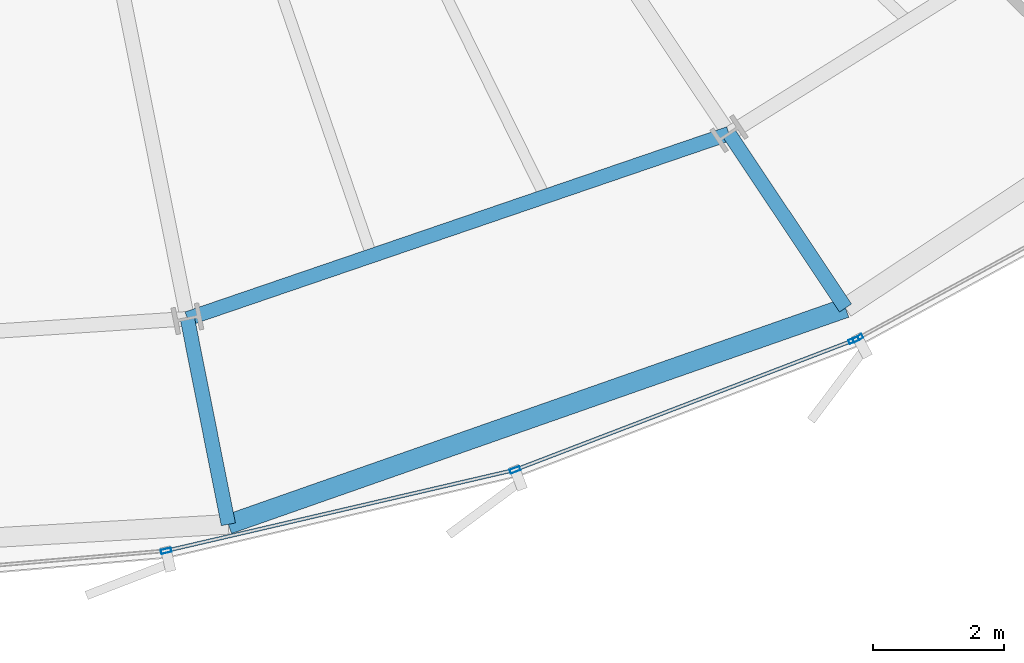
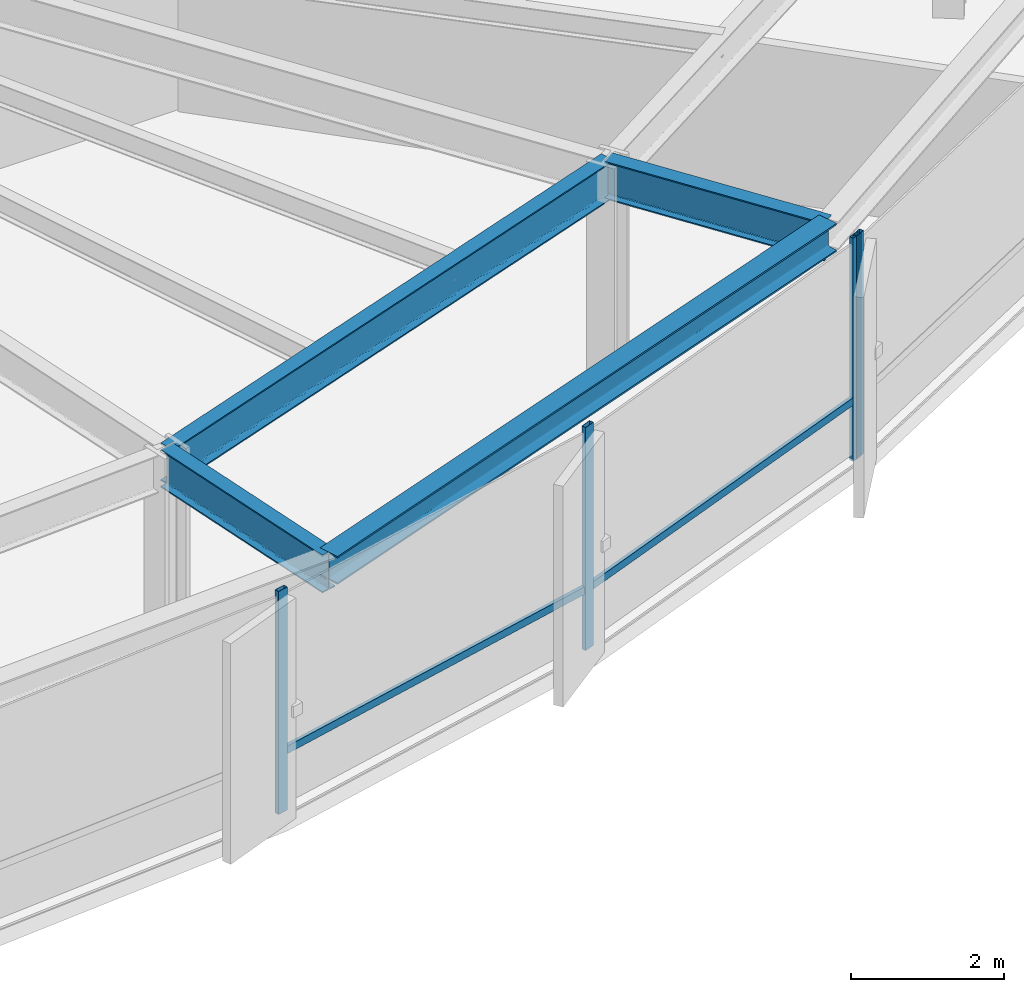
# One storey, part 10 of 38: 6 members, 4 beams, 2 elements without a shape of their own.
"""IFC4 building model written with IfcOpenShell, lengths in metres."""

from ifc_helpers import new_model, si_unit, direction, frame, origin, origin_2d, place, context, subcontext, project, spatial, hollow_rectangle, i_section, extrude, source, transform, mapped, material, layer, layer_set, material_profile, profile_set, type_object, element, aggregate, save


model = new_model("IFC4")

# Units and contexts
model_context = context("Model", 3, precision=1e-05, world=origin(), true_north=direction((0.0, 1.0)))
body_context = subcontext(model_context, "Body", "Model", "MODEL_VIEW")
ifc_project = project(units=[si_unit("LENGTHUNIT", "METRE"), si_unit("AREAUNIT", "SQUARE_METRE"), si_unit("VOLUMEUNIT", "CUBIC_METRE"), si_unit("PLANEANGLEUNIT", "RADIAN"), si_unit("MASSUNIT", "GRAM", prefix="KILO"), si_unit("THERMODYNAMICTEMPERATUREUNIT", "KELVIN")], contexts=[model_context])

# Site, building, storey
site_placement = place(None, origin())
site = spatial("IfcSite", under=ifc_project, at=site_placement, CompositionType="ELEMENT")
building_placement = place(site_placement, origin())
building = spatial("IfcBuilding", under=site, at=building_placement, Name="Kethvar Cultural Tower", CompositionType="ELEMENT")
storey_placement = place(building_placement, frame((0.0, 0.0, 67.60009765625)))
storey = spatial("IfcBuildingStorey", under=building, at=storey_placement, Name="L16", CompositionType="ELEMENT", Elevation=67.60009765625)

# Beams
ifc_material_1 = material(Name="Steel S355J2", Category="steel")
ifc_material_profile_1 = material_profile(ifc_material_1, i_section(OverallWidth=0.219970703125, OverallDepth=0.60009765625, WebThickness=0.011962890625, FlangeThickness=0.01904296875, FilletRadius=0.02392578125, at=origin_2d()), Name="Steel S355J2 — IPE600")
ifc_profile_set_1 = profile_set([ifc_material_profile_1], Name="Steel S355J2 — IPE600")
beam_type_1 = type_object("IfcBeamType", Name="BM-IPE600", PredefinedType="BEAM", material=ifc_profile_set_1)
shared_shape_1 = source(origin(), body_context, "Body", "SweptSolid", [
    extrude(i_section(OverallWidth=0.219970703125, OverallDepth=0.60009765625, WebThickness=0.011962890625, FlangeThickness=0.01904296875, FilletRadius=0.02392578125, at=origin_2d()), origin(), (0.0, 0.0, 1.0), 3.199951171875),
])
for number, where, z_axis, x_axis, name in (
    (1, (51.10400390625, 6.16259765625, 3.247802734375), (0.195088965533, -0.980785550224, 0.0), (0.980785550224, 0.195088965533, 0.0), "L16 Perimeter Cantilever Beam RC-13"),
    (2, (59.370361328125, 8.987060546875, 3.247802734375), (0.555580212716, -0.831462943996, 0.0), (0.831462943996, 0.555580212716, 0.0), "L16 Perimeter Cantilever Beam RC-14"),
):
    element("IfcBeam", number, at=place(storey_placement, frame(where, z_axis=z_axis, x_axis=x_axis)), inside=storey, type_object=beam_type_1, Name=name, PredefinedType="BEAM", context=body_context, shape_type="MappedRepresentation", body=[
        mapped(shared_shape_1, transform((0.0, 0.0, 0.0), scale=1.0)),
    ])
shared_shape_2 = source(origin(), body_context, "Body", "SweptSolid", [
    extrude(i_section(OverallWidth=0.219970703125, OverallDepth=0.60009765625, WebThickness=0.011962890625, FlangeThickness=0.01904296875, FilletRadius=0.02392578125, at=origin_2d()), origin(), (0.0, 0.0, 1.0), 8.735595703125),
])
beam_1_placement = place(storey_placement, frame((51.10400390625, 6.16259765625, 3.247802734375), z_axis=(0.946286676119, 0.323328821171, 0.0), x_axis=(-0.323328821171, 0.946286676119, 0.0)))
element("IfcBeam", 3, at=beam_1_placement, inside=storey, type_object=beam_type_1, Name="L16 Column Ring Tie Beam CR-13", PredefinedType="BEAM", context=body_context, shape_type="MappedRepresentation", body=[
    mapped(shared_shape_2, transform((0.0, 0.0, 0.0), scale=1.0)),
])
ifc_material_profile_2 = material_profile(ifc_material_1, i_section(OverallWidth=0.300048828125, OverallDepth=0.449951171875, WebThickness=0.013916015625, FlangeThickness=0.02587890625, FilletRadius=0.027099609375, at=origin_2d()), Name="Steel S355J2 — HEB450")
ifc_profile_set_2 = profile_set([ifc_material_profile_2], Name="Steel S355J2 — HEB450")
beam_type_2 = type_object("IfcBeamType", Name="BM-SP450", PredefinedType="SPANDREL", material=ifc_profile_set_2)
shared_shape_3 = source(origin(), body_context, "Body", "SweptSolid", [
    extrude(i_section(OverallWidth=0.300048828125, OverallDepth=0.449951171875, WebThickness=0.013916015625, FlangeThickness=0.02587890625, FilletRadius=0.027099609375, at=origin_2d()), origin(), (0.0, 0.0, 1.0), 9.98193359375),
])
beam_2_placement = place(storey_placement, frame((51.728271484375, 3.024169921875, 3.322998046875), z_axis=(0.943693514159, 0.330821026138, 0.0), x_axis=(-0.330821026138, 0.943693514159, 0.0)))
element("IfcBeam", 4, at=beam_2_placement, inside=storey, type_object=beam_type_2, Name="L16 Perimeter Spandrel Beam SP-13", PredefinedType="SPANDREL", context=body_context, shape_type="MappedRepresentation", body=[
    mapped(shared_shape_3, transform((0.0, 0.0, 0.0), scale=1.0)),
])

# Curtain wall, members
ifc_material_2 = material(Name="Aluminium 6063-T6", Category="aluminium")
ifc_layer = layer(ifc_material_2, 0.179931640625, Name="Aluminium 6063-T6", Category="aluminium")
ifc_layer_set = layer_set([ifc_layer], Name="Aluminium 6063-T6 (180 mm)")
curtain_wall_type = type_object("IfcCurtainWallType", Name="CW-SYS-02-Z1", PredefinedType="NOTDEFINED", material=ifc_layer_set)
curtain_wall_1_placement = place(storey_placement, origin())
curtain_wall_1 = element("IfcCurtainWall", 5, at=curtain_wall_1_placement, inside=storey, type_object=curtain_wall_type, Name="L16 Curtain Wall Run 05", PredefinedType="NOTDEFINED")
ifc_material_profile_3 = material_profile(ifc_material_2, hollow_rectangle(XDim=0.06494140625, YDim=0.159912109375, WallThickness=0.0048828125, at=origin_2d()), Name="Aluminium 6063-T6 — RHS160x65x5")
ifc_profile_set_3 = profile_set([ifc_material_profile_3], Name="Aluminium 6063-T6 — RHS160x65x5")
member_type_1 = type_object("IfcMemberType", Name="CW-SYS-02-Z1-MUL", PredefinedType="MULLION", material=ifc_profile_set_3)
shared_shape_4 = source(origin(), body_context, "Body", "SweptSolid", [
    extrude(hollow_rectangle(XDim=0.06494140625, YDim=0.159912109375, WallThickness=0.0048828125, at=origin_2d()), origin(), (0.0, 0.0, 1.0), 3.5498046875),
])
member_1_placement = place(storey_placement, frame((50.779541015625, 2.619873046875, 0.0), z_axis=(0.0, 0.0, 1.0), x_axis=(-0.226124302577, 0.974098454872, 0.0)))
member_1 = element("IfcMember", 6, at=member_1_placement, type_object=member_type_1, Name="CW-L16-R05 Mullion 5", PredefinedType="MULLION", context=body_context, shape_type="MappedRepresentation", body=[
    mapped(shared_shape_4, transform((0.0, 0.0, 0.0), scale=1.0)),
])
member_2_placement = place(storey_placement, frame((56.104736328125, 3.85498046875, 0.0), z_axis=(0.0, 0.0, 1.0), x_axis=(-0.357683503127, 0.933842873074, 0.0)))
member_2 = element("IfcMember", 7, at=member_2_placement, type_object=member_type_1, Name="CW-L16-R05 Mullion 6", PredefinedType="MULLION", context=body_context, shape_type="MappedRepresentation", body=[
    mapped(shared_shape_4, transform((0.0, 0.0, 0.0), scale=1.0)),
])
member_3_placement = place(storey_placement, frame((61.273193359375, 5.834716796875, 0.0), z_axis=(0.0, 0.0, 1.0), x_axis=(-0.357683503127, 0.933842873074, 0.0)))
member_3 = element("IfcMember", 8, at=member_3_placement, type_object=member_type_1, Name="CW-L16-R05 Mullion 7", PredefinedType="MULLION", context=body_context, shape_type="MappedRepresentation", body=[
    mapped(shared_shape_4, transform((0.0, 0.0, 0.0), scale=1.0)),
])

# Curtain wall, member
curtain_wall_2_placement = place(storey_placement, origin())
curtain_wall_2 = element("IfcCurtainWall", 9, at=curtain_wall_2_placement, inside=storey, type_object=curtain_wall_type, Name="L16 Curtain Wall Run 06", PredefinedType="NOTDEFINED")
member_4_placement = place(storey_placement, frame((61.33544921875, 5.86328125, 0.0), z_axis=(0.0, 0.0, 1.0), x_axis=(-0.477833502588, 0.878450421939, 0.0)))
member_4 = element("IfcMember", 10, at=member_4_placement, type_object=member_type_1, Name="CW-L16-R06 Mullion 1", PredefinedType="MULLION", context=body_context, shape_type="MappedRepresentation", body=[
    mapped(shared_shape_4, transform((0.0, 0.0, 0.0), scale=1.0)),
])
aggregate(curtain_wall_2, [member_4])

# Member
ifc_material_profile_4 = material_profile(ifc_material_2, hollow_rectangle(XDim=0.054931640625, YDim=0.1201171875, WallThickness=0.00390625, at=origin_2d()), Name="Aluminium 6063-T6 — RHS120x55x4")
ifc_profile_set_4 = profile_set([ifc_material_profile_4], Name="Aluminium 6063-T6 — RHS120x55x4")
member_type_2 = type_object("IfcMemberType", Name="CW-SYS-02-Z1-TRN", PredefinedType="USERDEFINED", material=ifc_profile_set_4)
shared_shape_5 = source(origin(), body_context, "Body", "SweptSolid", [
    extrude(hollow_rectangle(XDim=0.054931640625, YDim=0.1201171875, WallThickness=0.00390625, at=origin_2d()), origin(), (0.0, 0.0, 1.0), 5.389404296875),
])
member_5_placement = place(storey_placement, frame((50.8251953125, 2.630615234375, 0.949951171875), z_axis=(0.97410486177, 0.226096701162, 0.0), x_axis=(-0.226096701162, 0.97410486177, 0.0)))
member_5 = element("IfcMember", 11, at=member_5_placement, type_object=member_type_2, Name="CW-L16-R05 Transom 5", ObjectType="TRANSOM", PredefinedType="USERDEFINED", context=body_context, shape_type="MappedRepresentation", body=[
    mapped(shared_shape_5, transform((0.0, 0.0, 0.0), scale=1.0)),
])

shared_shape_6 = source(origin(), body_context, "Body", "SweptSolid", [
    extrude(hollow_rectangle(XDim=0.054931640625, YDim=0.1201171875, WallThickness=0.00390625, at=origin_2d()), origin(), (0.0, 0.0, 1.0), 5.4833984375),
])
member_6_placement = place(storey_placement, frame((56.1484375, 3.87158203125, 0.949951171875), z_axis=(0.933835868179, 0.357701791025, 0.0), x_axis=(-0.357701791025, 0.933835868179, 0.0)))
member_6 = element("IfcMember", 12, at=member_6_placement, type_object=member_type_2, Name="CW-L16-R05 Transom 6", ObjectType="TRANSOM", PredefinedType="USERDEFINED", context=body_context, shape_type="MappedRepresentation", body=[
    mapped(shared_shape_6, transform((0.0, 0.0, 0.0), scale=1.0)),
])

aggregate(curtain_wall_1, [member_1, member_2, member_3, member_5, member_6])

save(model, "model.ifc")
